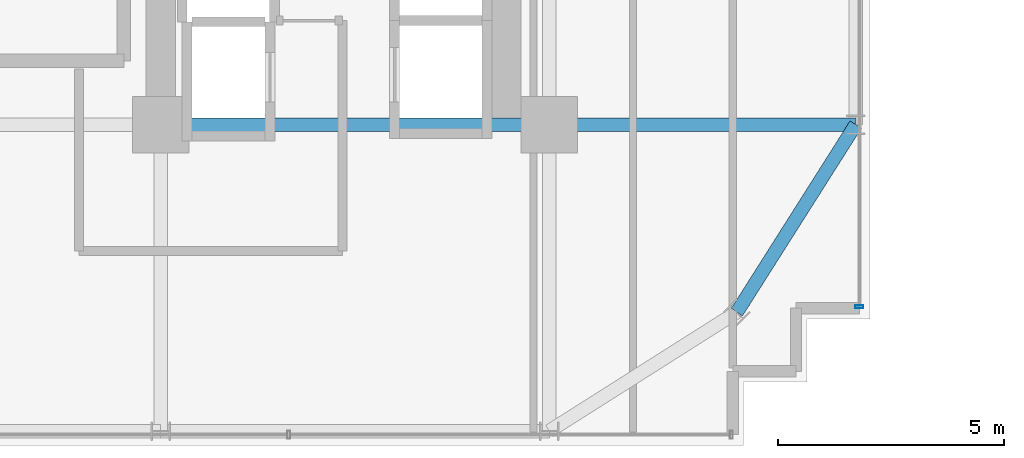
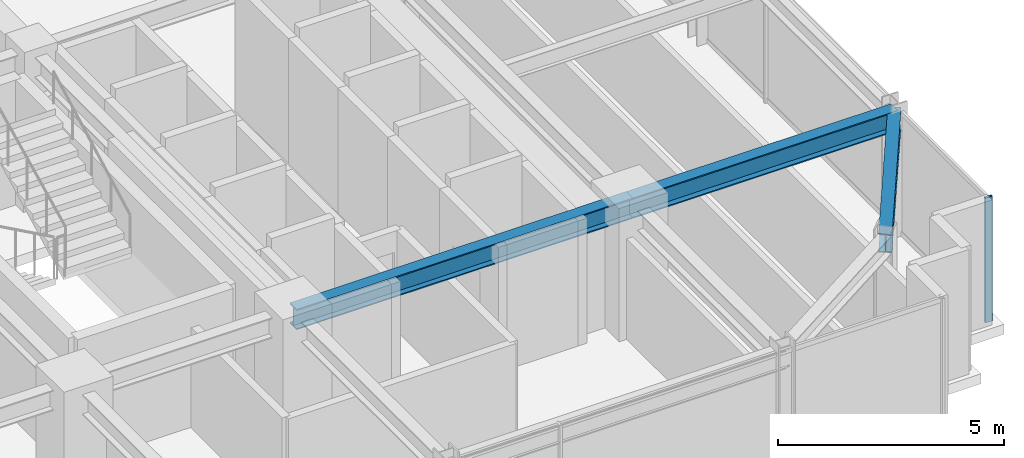
# One storey, part 12 of 33: 3 beams, 1 member, 1 element without a shape of its own.
"""IFC4 building model written with IfcOpenShell, lengths in metres."""

from ifc_helpers import new_model, si_unit, direction, frame, origin, origin_2d, place, context, subcontext, project, spatial, hollow_rectangle, i_section, extrude, source, transform, mapped, material, material_profile, profile_set, type_object, element, aggregate, save


model = new_model("IFC4")

# Units and contexts
model_context = context("Model", 3, precision=1e-05, world=origin(), true_north=direction((0.0, 1.0)))
body_context = subcontext(model_context, "Body", "Model", "MODEL_VIEW")
ifc_project = project(units=[si_unit("LENGTHUNIT", "METRE"), si_unit("AREAUNIT", "SQUARE_METRE"), si_unit("VOLUMEUNIT", "CUBIC_METRE"), si_unit("PLANEANGLEUNIT", "RADIAN"), si_unit("MASSUNIT", "GRAM", prefix="KILO")], contexts=[model_context])

# Site, building, storey
site_placement = place(None, origin())
site = spatial("IfcSite", under=ifc_project, at=site_placement, CompositionType="ELEMENT")
building_placement = place(site_placement, origin())
building = spatial("IfcBuilding", under=site, at=building_placement, Name="Nahalor Promenade Grand Hotel", CompositionType="ELEMENT")
storey_placement = place(building_placement, frame((0.0, 0.0, 132.10009765625)))
storey = spatial("IfcBuildingStorey", under=building, at=storey_placement, Name="L33", CompositionType="ELEMENT", Elevation=132.10009765625)

# Beams
ifc_material_1 = material(Name="Steel S355JR", Category="steel")
ifc_material_profile_1 = material_profile(ifc_material_1, i_section(OverallWidth=0.3, OverallDepth=0.5, WebThickness=0.0145, FlangeThickness=0.028, at=origin_2d()), Name="HEB 500")
ifc_profile_set_1 = profile_set([ifc_material_profile_1], Name="Steel S355JR")
beam_type_1 = type_object("IfcBeamType", Name="Beam-Spandrel-HEB500", PredefinedType="SPANDREL", material=ifc_profile_set_1)
shared_shape_1 = source(origin(), body_context, "Body", "SweptSolid", [
    extrude(i_section(OverallWidth=0.3, OverallDepth=0.5, WebThickness=0.0145, FlangeThickness=0.028, at=origin_2d()), origin(), (0.0, 0.0, 1.0), 4.9130859375),
])
beam_1_placement = place(storey_placement, frame((21.14990234375, -21.14990234375, 3.1298828125), z_axis=(0.535321591403, 0.844648325505, 0.0), x_axis=(-0.844648325505, 0.535321591403, 0.0)))
element("IfcBeam", 1, at=beam_1_placement, inside=storey, type_object=beam_type_1, Name="BM-L33-SPC-SE-2", PredefinedType="SPANDREL", context=body_context, shape_type="MappedRepresentation", body=[
    mapped(shared_shape_1, transform((0.0, 0.0, 0.0), scale=1.0)),
])
ifc_material_profile_2 = material_profile(ifc_material_1, i_section(OverallWidth=0.3, OverallDepth=0.55, WebThickness=0.015, FlangeThickness=0.029, at=origin_2d()), Name="HEB 550")
ifc_profile_set_2 = profile_set([ifc_material_profile_2], Name="Steel S355JR")
beam_type_2 = type_object("IfcBeamType", Name="Beam-Girder-HEB550", PredefinedType="BEAM", material=ifc_profile_set_2)
shared_shape_2 = source(origin(), body_context, "Body", "SweptSolid", [
    extrude(i_section(OverallWidth=0.3, OverallDepth=0.55, WebThickness=0.015, FlangeThickness=0.029, at=origin_2d()), origin(), (0.0, 0.0, 1.0), 6.780029296875),
])
beam_2_placement = place(storey_placement, frame((17.0, -17.0, 3.10498046875), z_axis=(1.0, 0.0, 0.0), x_axis=(0.0, 1.0, 0.0)))
element("IfcBeam", 2, at=beam_2_placement, inside=storey, type_object=beam_type_2, Name="BM-L33-GX-0-6", PredefinedType="BEAM", context=body_context, shape_type="MappedRepresentation", body=[
    mapped(shared_shape_2, transform((0.0, 0.0, 0.0), scale=1.0)),
])
shared_shape_3 = source(origin(), body_context, "Body", "SweptSolid", [
    extrude(i_section(OverallWidth=0.3, OverallDepth=0.55, WebThickness=0.015, FlangeThickness=0.029, at=origin_2d()), origin(), (0.0, 0.0, 1.0), 8.60009765625),
])
beam_3_placement = place(storey_placement, frame((8.39990234375, -17.0, 3.10498046875), z_axis=(1.0, 0.0, 0.0), x_axis=(0.0, 1.0, 0.0)))
element("IfcBeam", 3, at=beam_3_placement, inside=storey, type_object=beam_type_2, Name="BM-L33-GX-0-5", PredefinedType="BEAM", context=body_context, shape_type="MappedRepresentation", body=[
    mapped(shared_shape_3, transform((0.0, 0.0, 0.0), scale=1.0)),
])

# Curtain wall, member
ifc_material_2 = material(Name="Anodised Bronze Aluminium EN AW-6063 T6", Category="aluminium")
curtain_wall_type = type_object("IfcCurtainWallType", Name="CW2 Typical Hotel Flush Bronze Unitised Curtain Wall", PredefinedType="USERDEFINED", material=ifc_material_2)
curtain_wall_placement = place(storey_placement, origin())
curtain_wall = element("IfcCurtainWall", 4, at=curtain_wall_placement, inside=storey, type_object=curtain_wall_type, Name="L33 Curtain Wall CW-L33-E-1", ObjectType="UNITISED_CURTAIN_WALL", PredefinedType="USERDEFINED")
ifc_material_profile_3 = material_profile(ifc_material_2, hollow_rectangle(XDim=0.065, YDim=0.18, WallThickness=0.004, at=origin_2d()), Name="CWM 65x180x4")
ifc_profile_set_3 = profile_set([ifc_material_profile_3], Name="Anodised Bronze Aluminium EN AW-6063 T6")
member_type = type_object("IfcMemberType", Name="CWM2 Typical Bronze Mullion 65x180", PredefinedType="MULLION", material=ifc_profile_set_3)
shared_shape_4 = source(origin(), body_context, "Body", "SweptSolid", [
    extrude(hollow_rectangle(XDim=0.065, YDim=0.18, WallThickness=0.004, at=origin_2d()), origin(), (0.0, 0.0, 1.0), 3.3798828125),
])
member_placement = place(storey_placement, frame((23.860107421875, -21.027587890625, 0.0), z_axis=(0.0, 0.0, 1.0), x_axis=(0.0, 1.0, 0.0)))
member = element("IfcMember", 5, at=member_placement, type_object=member_type, Name="CW-L33-E-1 Mullion 0", PredefinedType="MULLION", context=body_context, shape_type="MappedRepresentation", body=[
    mapped(shared_shape_4, transform((0.0, 0.0, 0.0), scale=1.0)),
])
aggregate(curtain_wall, [member])

save(model, "model.ifc")
